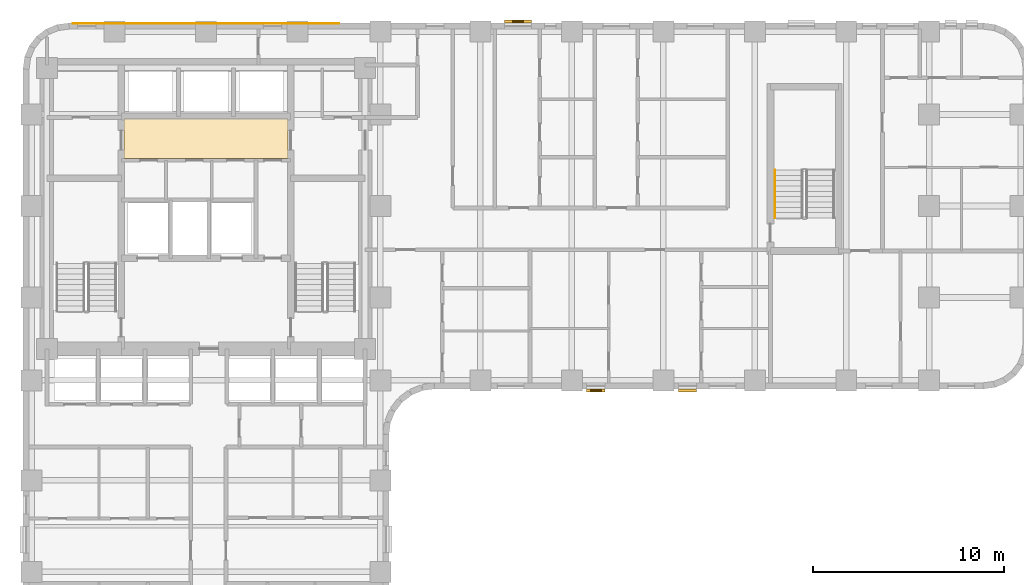
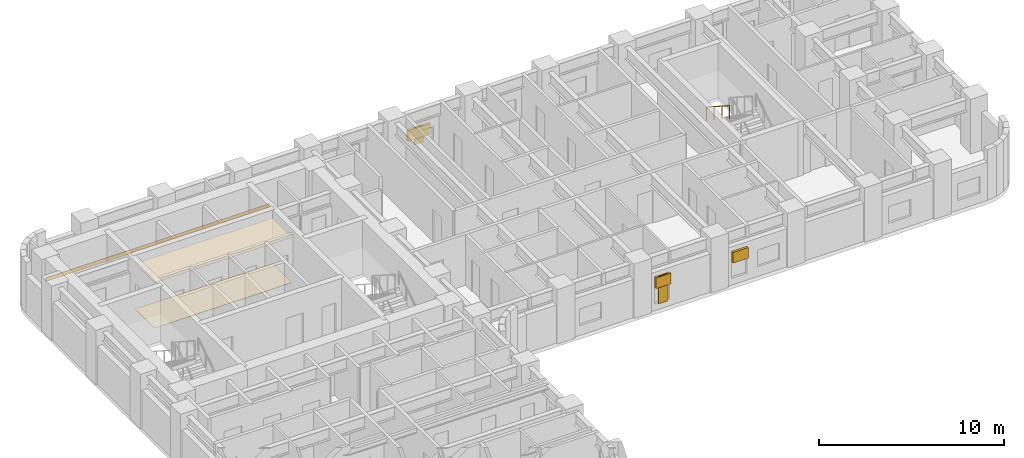
# One storey, part 10 of 11: 5 shading devices, 3 coverings, 1 railing.
"""IFC4 building model written with IfcOpenShell, lengths in metres."""

from ifc_helpers import new_model, si_unit, direction, frame, origin, origin_2d, place, context, subcontext, project, spatial, polyline, rectangle, outline, extrude, material, layer, layer_set, type_object, element, save


model = new_model("IFC4")

# Units and contexts
model_context = context("Model", 3, precision=1e-05, world=origin(), true_north=direction((0.0, 1.0)))
body_context = subcontext(model_context, "Body", "Model", "MODEL_VIEW")
ifc_project = project(units=[si_unit("LENGTHUNIT", "METRE"), si_unit("AREAUNIT", "SQUARE_METRE"), si_unit("VOLUMEUNIT", "CUBIC_METRE"), si_unit("PLANEANGLEUNIT", "RADIAN"), si_unit("MASSUNIT", "GRAM", prefix="KILO")], contexts=[model_context])

# Site, building, storey
site_placement = place(None, origin())
site = spatial("IfcSite", under=ifc_project, at=site_placement, CompositionType="ELEMENT")
building_placement = place(site_placement, origin())
building = spatial("IfcBuilding", under=site, at=building_placement, Name="Orvandelia Arch Residences", CompositionType="ELEMENT")
storey_placement = place(building_placement, frame((0.0, 0.0, 25.0)))
storey = spatial("IfcBuildingStorey", under=building, at=storey_placement, Name="L05", CompositionType="ELEMENT", Elevation=25.0)

# Coverings
ifc_material_1 = material(Name="Perforated Acoustic Mineral-Fibre Ceiling")
ifc_layer_1 = layer(ifc_material_1, 0.02490234375, Name="Perforated Acoustic Mineral-Fibre Ceiling")
ifc_layer_set_1 = layer_set([ifc_layer_1], Name="Perforated Acoustic Mineral-Fibre Ceiling")
covering_type_1 = type_object("IfcCoveringType", Name="COV-CEIL-ACOUSTIC", PredefinedType="CEILING", material=ifc_layer_set_1)
covering_1_placement = place(storey_placement, frame((0.0, 0.0, 3.0)))
element("IfcCovering", 1, at=covering_1_placement, inside=storey, type_object=covering_type_1, Name="Lift Hall Suspended Acoustic Ceiling L05", PredefinedType="CEILING", context=body_context, shape_type="SweptSolid", body=[
    extrude(outline(polyline([(10.10009765625, 40.8798828125), (18.699951171875, 40.8798828125), (18.699951171875, 42.97998046875), (10.10009765625, 42.97998046875), (10.10009765625, 40.8798828125)])), origin(), (0.0, 0.0, 1.0), 0.02490234375),
])
ifc_material_2 = material(Name="Engineered Oak Flooring")
ifc_layer_2 = layer(ifc_material_2, 0.02001953125, Name="Engineered Oak Flooring")
ifc_layer_set_2 = layer_set([ifc_layer_2], Name="Engineered Oak Flooring")
covering_type_2 = type_object("IfcCoveringType", Name="COV-FLOOR-TIMBER", PredefinedType="FLOORING", material=ifc_layer_set_2)
covering_2_placement = place(storey_placement, origin())
element("IfcCovering", 2, at=covering_2_placement, inside=storey, type_object=covering_type_2, Name="Lift Hall Finish Flooring L05", PredefinedType="FLOORING", context=body_context, shape_type="SweptSolid", body=[
    extrude(outline(polyline([(10.10009765625, 40.8798828125), (18.699951171875, 40.8798828125), (18.699951171875, 42.97998046875), (10.10009765625, 42.97998046875), (10.10009765625, 40.8798828125)])), origin(), (0.0, 0.0, 1.0), 0.02001953125),
])
ifc_material_3 = material(Name="Coral-Limestone Architectural Cladding", Category="masonry")
ifc_layer_3 = layer(ifc_material_3, 0.044921875, Name="Coral-Limestone Architectural Cladding", Category="masonry")
ifc_layer_set_3 = layer_set([ifc_layer_3], Name="Coral-Limestone Architectural Cladding")
covering_type_3 = type_object("IfcCoveringType", Name="COV-STONE-CLAD", PredefinedType="CLADDING", material=ifc_layer_set_3)
covering_3_placement = place(storey_placement, frame((14.39990234375, 47.97509765625, -0.240234375), z_axis=(0.0, 0.0, 1.0), x_axis=(1.0, 0.0, 0.0)))
element("IfcCovering", 3, at=covering_3_placement, inside=storey, type_object=covering_type_3, Name="Coral-Limestone Slab-Edge Cladding Band L05", PredefinedType="CLADDING", context=body_context, shape_type="SweptSolid", body=[
    extrude(rectangle(XDim=14.0, YDim=0.044921875, at=origin_2d()), origin(), (0.0, 0.0, 1.0), 0.239990234375),
])

# Railing
ifc_material_4 = material(Name="Brushed Stainless Steel 304", Category="steel")
railing_type = type_object("IfcRailingType", Name="RL-STAIR-HR920", PredefinedType="HANDRAIL", material=ifc_material_4)
railing_placement = place(storey_placement, frame((44.260009765625, 40.2900390625, 2.159912109375)))
element("IfcRailing", 4, at=railing_placement, inside=storey, type_object=railing_type, Name="L05 ST-3 stair handrail 2", PredefinedType="HANDRAIL", context=body_context, shape_type="SweptSolid", body=[
    extrude(rectangle(XDim=0.048095703125, YDim=0.048095703125, at=origin_2d()), frame((0.0, 0.0, 0.8759765625), z_axis=(0.0, -0.841162588446, 0.540782303519), x_axis=(1.0, 0.0, 0.0)), (0.0, 0.0, 1.0), 2.995849609375),
    extrude(rectangle(XDim=0.0419921875, YDim=0.0419921875, at=origin_2d()), origin(), (0.0, 0.0, 1.0), 0.851806640625),
    extrude(rectangle(XDim=0.0419921875, YDim=0.0419921875, at=origin_2d()), frame((0.0, -0.840087890625, 0.5400390625)), (0.0, 0.0, 1.0), 0.851806640625),
    extrude(rectangle(XDim=0.0419921875, YDim=0.0419921875, at=origin_2d()), frame((0.0, -1.679931640625, 1.080078125)), (0.0, 0.0, 1.0), 0.851806640625),
    extrude(rectangle(XDim=0.0419921875, YDim=0.0419921875, at=origin_2d()), frame((0.0, -2.52001953125, 1.6201171875)), (0.0, 0.0, 1.0), 0.851806640625),
])

# Shading devices
ifc_material_5 = material(Name="Anodised Champagne-Bronze Extruded Aluminium", Category="aluminium")
shading_device_type_1 = type_object("IfcShadingDeviceType", Name="SHD-JALOUSIE-SCREEN", PredefinedType="JALOUSIE", material=ifc_material_5)
shading_device_1_placement = place(storey_placement, frame((30.77001953125, 48.080078125, 1.0498046875), z_axis=(0.0, 0.0, 1.0), x_axis=(1.0, 0.0, 0.0)))
element("IfcShadingDevice", 5, at=shading_device_1_placement, inside=storey, type_object=shading_device_type_1, Name="Bronze Jalousie Sun-Shade L05-003", PredefinedType="JALOUSIE", context=body_context, shape_type="SweptSolid", body=[
    extrude(rectangle(XDim=1.39990234375, YDim=0.159912109375, at=origin_2d()), origin(), (0.0, 0.0, 1.0), 0.699951171875),
])
for number, where, z_axis, x_axis, name in (
    (6, (34.85546875, 28.719970703125, 1.5498046875), (0.0, 0.0, 1.0), (-1.0, 0.0, 0.0), "Bronze Jalousie Sun-Shade L05-006"),
    (7, (39.678955078125, 28.719970703125, 1.5498046875), (0.0, 0.0, 1.0), (-1.0, 0.0, 0.0), "Bronze Jalousie Sun-Shade L05-007"),
):
    element("IfcShadingDevice", number, at=place(storey_placement, frame(where, z_axis=z_axis, x_axis=x_axis)), inside=storey, type_object=shading_device_type_1, Name=name, PredefinedType="JALOUSIE", context=body_context, shape_type="SweptSolid", body=[
        extrude(rectangle(XDim=0.949951171875, YDim=0.159912109375, at=origin_2d()), origin(), (0.0, 0.0, 1.0), 0.699951171875),
    ])
ifc_material_6 = material(Name="Marine-Grade Perforated Aluminium Storm Shutter", Category="aluminium")
shading_device_type_2 = type_object("IfcShadingDeviceType", Name="SHD-STORM-SHUTTER", PredefinedType="SHUTTER", material=ifc_material_6)
shading_device_2_placement = place(storey_placement, frame((30.77001953125, 48.080078125, 0.64990234375), z_axis=(0.0, 0.0, 1.0), x_axis=(1.0, 0.0, 0.0)))
element("IfcShadingDevice", 8, at=shading_device_2_placement, inside=storey, type_object=shading_device_type_2, Name="Operable Typhoon Storm Shutter L05-003", PredefinedType="SHUTTER", context=body_context, shape_type="SweptSolid", body=[
    extrude(rectangle(XDim=0.550048828125, YDim=0.080078125, at=origin_2d()), origin(), (0.0, 0.0, 1.0), 1.10009765625),
])
shading_device_3_placement = place(storey_placement, frame((34.85546875, 28.719970703125, 0.4501953125), z_axis=(0.0, 0.0, 1.0), x_axis=(-1.0, 0.0, 0.0)))
element("IfcShadingDevice", 9, at=shading_device_3_placement, inside=storey, type_object=shading_device_type_2, Name="Operable Typhoon Storm Shutter L05-006", PredefinedType="SHUTTER", context=body_context, shape_type="SweptSolid", body=[
    extrude(rectangle(XDim=0.550048828125, YDim=0.080078125, at=origin_2d()), origin(), (0.0, 0.0, 1.0), 1.800048828125),
])

save(model, "model.ifc")
